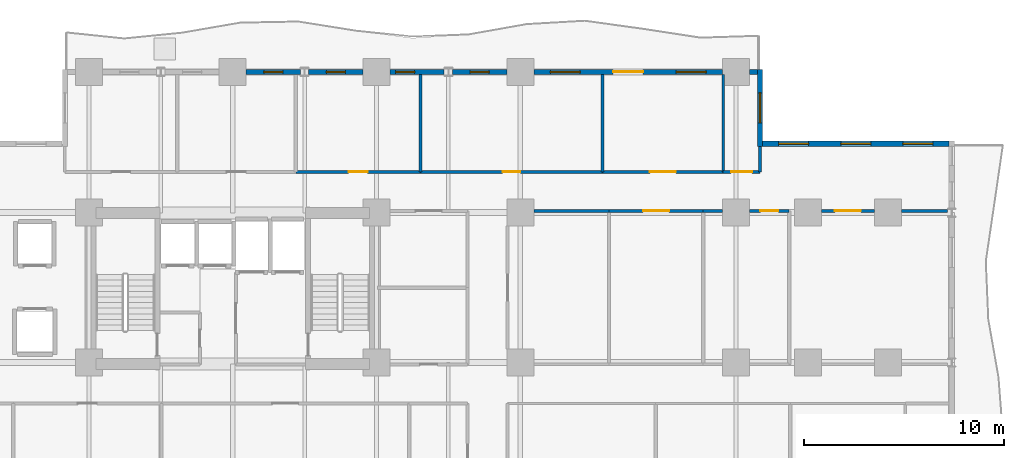
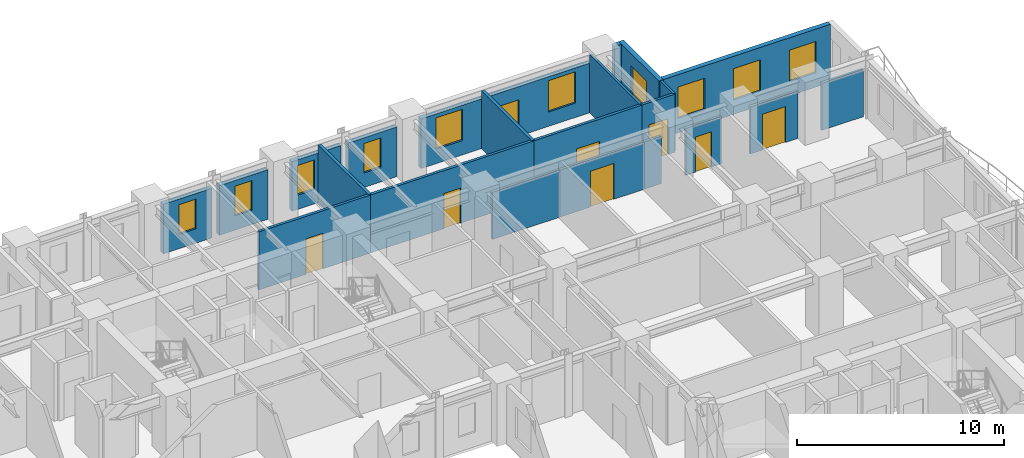
# One storey, part 7 of 11: 22 walls, 10 windows, 8 doors, 18 openings.
"""IFC4 building model written with IfcOpenShell, lengths in metres."""

from ifc_helpers import new_model, si_unit, direction, frame, frame_2d, origin, place, context, subcontext, project, spatial, rectangle, extrude, material, layer, layer_set, type_object, element, fill, save


model = new_model("IFC4")

# Units and contexts
model_context = context("Model", 3, precision=1e-05, world=origin(), true_north=direction((0.0, 1.0)))
body_context = subcontext(model_context, "Body", "Model", "MODEL_VIEW")
ifc_project = project(units=[si_unit("LENGTHUNIT", "METRE"), si_unit("AREAUNIT", "SQUARE_METRE"), si_unit("VOLUMEUNIT", "CUBIC_METRE"), si_unit("PLANEANGLEUNIT", "RADIAN"), si_unit("MASSUNIT", "GRAM", prefix="KILO")], contexts=[model_context])

# Site, building, storey
site_placement = place(None, origin())
site = spatial("IfcSite", under=ifc_project, at=site_placement, CompositionType="ELEMENT")
building_placement = place(site_placement, origin())
building = spatial("IfcBuilding", under=site, at=building_placement, Name="Kaliganga Portal Commons", CompositionType="ELEMENT")
storey_placement = place(building_placement, frame((0.0, 0.0, 54.89990234375)))
storey = spatial("IfcBuildingStorey", under=building, at=storey_placement, Name="L13", CompositionType="ELEMENT", Elevation=54.89990234375)

# Wall, openings, windows
ifc_material_1 = material(Name="Insulated Aluminium-Clad Spandrel Assembly", Category="aluminium")
ifc_layer_1 = layer(ifc_material_1, 0.260009765625)
ifc_layer_set_1 = layer_set([ifc_layer_1], Name="Insulated Aluminium-Clad Spandrel Assembly")
wall_type_1 = type_object("IfcWallType", Name="WL-EXT-SPAND-260", PredefinedType="STANDARD", material=ifc_layer_set_1)
wall_1_placement = place(storey_placement, frame((48.135009765625, 39.60009765625, 0.0), z_axis=(0.0, 0.0, 1.0), x_axis=(1.0, 0.0, 0.0)))
wall_1 = element("IfcWall", 1, at=wall_1_placement, inside=storey, type_object=wall_type_1, Name="Exterior Envelope Wall L13 P1-E04-S1", PredefinedType="STANDARD", context=body_context, shape_type="SweptSolid", body=[
    extrude(rectangle(XDim=9.330078125, YDim=0.260009765625, at=frame_2d((4.6650390625, 0.0))), origin(), (0.0, 0.0, 1.0), 3.43017578125),
])
opening_1_placement = place(wall_1_placement, frame((0.804931640625, 0.0, 0.85009765625)))
opening_1 = element("IfcOpeningElement", 2, at=opening_1_placement, cuts=wall_1, Name="Opening W-02", PredefinedType="OPENING", context=body_context, shape_type="SweptSolid", body=[
    extrude(rectangle(XDim=1.5, YDim=1.85009765625, at=frame_2d((0.75, 0.925048828125))), frame((0.0, 0.14013671875, 0.0), z_axis=(0.0, -1.0, 0.0), x_axis=(1.0, 0.0, 0.0)), (0.0, 0.0, 1.0), 0.280029296875),
])
opening_2_placement = place(wall_1_placement, frame((3.9150390625, 0.0, 0.85009765625)))
opening_2 = element("IfcOpeningElement", 3, at=opening_2_placement, cuts=wall_1, Name="Opening W-02", PredefinedType="OPENING", context=body_context, shape_type="SweptSolid", body=[
    extrude(rectangle(XDim=1.5, YDim=1.85009765625, at=frame_2d((0.75, 0.925048828125))), frame((0.0, 0.14013671875, 0.0), z_axis=(0.0, -1.0, 0.0), x_axis=(1.0, 0.0, 0.0)), (0.0, 0.0, 1.0), 0.280029296875),
])
opening_3_placement = place(wall_1_placement, frame((7.02490234375, 0.0, 0.85009765625)))
opening_3 = element("IfcOpeningElement", 4, at=opening_3_placement, cuts=wall_1, Name="Opening W-02", PredefinedType="OPENING", context=body_context, shape_type="SweptSolid", body=[
    extrude(rectangle(XDim=1.5, YDim=1.85009765625, at=frame_2d((0.75, 0.925048828125))), frame((0.0, 0.14013671875, 0.0), z_axis=(0.0, -1.0, 0.0), x_axis=(1.0, 0.0, 0.0)), (0.0, 0.0, 1.0), 0.280029296875),
])
ifc_material_2 = material(Name="Thermally Broken Aluminium and Low-E Double Glazing", Category="aluminium")
window_type_1 = type_object("IfcWindowType", Name="WIN-STD-1500", PartitioningType="DOUBLE_PANEL_VERTICAL", PredefinedType="WINDOW", material=ifc_material_2)
window_1_placement = place(opening_1_placement, origin())
window_1 = element("IfcWindow", 5, at=window_1_placement, inside=storey, type_object=window_type_1, Name="Facade Window L13-P1E04S1-00", OverallHeight=1.85009765625, OverallWidth=1.5, PartitioningType="SINGLE_PANEL", PredefinedType="WINDOW", context=body_context, shape_type="SweptSolid", body=[
    extrude(rectangle(XDim=1.5, YDim=1.85009765625, at=frame_2d((0.75, 0.925048828125))), frame((0.0, 0.030029296875, 0.0), z_axis=(0.0, -1.0, 0.0), x_axis=(1.0, 0.0, 0.0)), (0.0, 0.0, 1.0), 0.06005859375),
])
fill(opening_1, window_1)
window_2_placement = place(opening_2_placement, origin())
window_2 = element("IfcWindow", 6, at=window_2_placement, inside=storey, type_object=window_type_1, Name="Facade Window L13-P1E04S1-01", OverallHeight=1.85009765625, OverallWidth=1.5, PartitioningType="SINGLE_PANEL", PredefinedType="WINDOW", context=body_context, shape_type="SweptSolid", body=[
    extrude(rectangle(XDim=1.5, YDim=1.85009765625, at=frame_2d((0.75, 0.925048828125))), frame((0.0, 0.030029296875, 0.0), z_axis=(0.0, -1.0, 0.0), x_axis=(1.0, 0.0, 0.0)), (0.0, 0.0, 1.0), 0.06005859375),
])
fill(opening_2, window_2)
window_3_placement = place(opening_3_placement, origin())
window_3 = element("IfcWindow", 7, at=window_3_placement, inside=storey, type_object=window_type_1, Name="Facade Window L13-P1E04S1-02", OverallHeight=1.85009765625, OverallWidth=1.5, PartitioningType="SINGLE_PANEL", PredefinedType="WINDOW", context=body_context, shape_type="SweptSolid", body=[
    extrude(rectangle(XDim=1.5, YDim=1.85009765625, at=frame_2d((0.75, 0.925048828125))), frame((0.0, 0.030029296875, 0.0), z_axis=(0.0, -1.0, 0.0), x_axis=(1.0, 0.0, 0.0)), (0.0, 0.0, 1.0), 0.06005859375),
])
fill(opening_3, window_3)

# Wall, opening, window
wall_2_placement = place(storey_placement, frame((48.0, 43.330078125, 0.0), z_axis=(0.0, 0.0, 1.0), x_axis=(0.0, -1.0, 0.0)))
wall_2 = element("IfcWall", 8, at=wall_2_placement, inside=storey, type_object=wall_type_1, Name="Exterior Envelope Wall L13 P1-E05-S1", PredefinedType="STANDARD", context=body_context, shape_type="SweptSolid", body=[
    extrude(rectangle(XDim=3.860107421875, YDim=0.260009765625, at=frame_2d((1.93017578125, 0.0))), origin(), (0.0, 0.0, 1.0), 3.43017578125),
])
opening_4_placement = place(wall_2_placement, frame((1.179931640625, 0.0, 0.85009765625)))
opening_4 = element("IfcOpeningElement", 9, at=opening_4_placement, cuts=wall_2, Name="Opening W-02", PredefinedType="OPENING", context=body_context, shape_type="SweptSolid", body=[
    extrude(rectangle(XDim=1.5, YDim=1.85009765625, at=frame_2d((0.75, 0.925048828125))), frame((0.0, 0.14013671875, 0.0), z_axis=(0.0, -1.0, 0.0), x_axis=(1.0, 0.0, 0.0)), (0.0, 0.0, 1.0), 0.280029296875),
])
window_4_placement = place(opening_4_placement, origin())
window_4 = element("IfcWindow", 10, at=window_4_placement, inside=storey, type_object=window_type_1, Name="Facade Window L13-P1E05S1-00", OverallHeight=1.85009765625, OverallWidth=1.5, PartitioningType="SINGLE_PANEL", PredefinedType="WINDOW", context=body_context, shape_type="SweptSolid", body=[
    extrude(rectangle(XDim=1.5, YDim=1.85009765625, at=frame_2d((0.75, 0.925048828125))), frame((0.0, 0.030029296875, 0.0), z_axis=(0.0, -1.0, 0.0), x_axis=(1.0, 0.0, 0.0)), (0.0, 0.0, 1.0), 0.06005859375),
])
fill(opening_4, window_4)

# Wall
wall_3_placement = place(storey_placement, frame((47.47607421875, 43.199951171875, 0.0), z_axis=(0.0, 0.0, 1.0), x_axis=(1.0, 0.0, 0.0)))
element("IfcWall", 11, at=wall_3_placement, inside=storey, type_object=wall_type_1, Name="Exterior Envelope Wall L13 P1-E06-S1", PredefinedType="STANDARD", context=body_context, shape_type="SweptSolid", body=[
    extrude(rectangle(XDim=0.388916015625, YDim=0.260009765625, at=frame_2d((0.1943359375, 0.0))), origin(), (0.0, 0.0, 1.0), 3.43017578125),
])

# Wall, openings, door, windows
wall_4_placement = place(storey_placement, frame((36.676025390625, 43.199951171875, 0.0), z_axis=(0.0, 0.0, 1.0), x_axis=(1.0, 0.0, 0.0)))
wall_4 = element("IfcWall", 12, at=wall_4_placement, inside=storey, type_object=wall_type_1, Name="Exterior Envelope Wall L13 P1-E06-S2", PredefinedType="STANDARD", context=body_context, shape_type="SweptSolid", body=[
    extrude(rectangle(XDim=9.447998046875, YDim=0.260009765625, at=frame_2d((4.72412109375, 0.0))), origin(), (0.0, 0.0, 1.0), 2.93017578125),
])
opening_5_placement = place(wall_4_placement, frame((3.97412109375, 0.0, 0.0)))
opening_5 = element("IfcOpeningElement", 13, at=opening_5_placement, cuts=wall_4, Name="Opening BD-01", PredefinedType="OPENING", context=body_context, shape_type="SweptSolid", body=[
    extrude(rectangle(XDim=1.5, YDim=2.14990234375, at=frame_2d((0.75, 1.074951171875))), frame((0.0, 0.14013671875, 0.0), z_axis=(0.0, -1.0, 0.0), x_axis=(1.0, 0.0, 0.0)), (0.0, 0.0, 1.0), 0.280029296875),
])
opening_6_placement = place(wall_4_placement, frame((0.82470703125, 0.0, 0.85009765625)))
opening_6 = element("IfcOpeningElement", 14, at=opening_6_placement, cuts=wall_4, Name="Opening W-02", PredefinedType="OPENING", context=body_context, shape_type="SweptSolid", body=[
    extrude(rectangle(XDim=1.5, YDim=1.85009765625, at=frame_2d((0.75, 0.925048828125))), frame((0.0, 0.14013671875, 0.0), z_axis=(0.0, -1.0, 0.0), x_axis=(1.0, 0.0, 0.0)), (0.0, 0.0, 1.0), 0.280029296875),
])
opening_7_placement = place(wall_4_placement, frame((7.123291015625, 0.0, 0.85009765625)))
opening_7 = element("IfcOpeningElement", 15, at=opening_7_placement, cuts=wall_4, Name="Opening W-02", PredefinedType="OPENING", context=body_context, shape_type="SweptSolid", body=[
    extrude(rectangle(XDim=1.5, YDim=1.85009765625, at=frame_2d((0.75, 0.925048828125))), frame((0.0, 0.14013671875, 0.0), z_axis=(0.0, -1.0, 0.0), x_axis=(1.0, 0.0, 0.0)), (0.0, 0.0, 1.0), 0.280029296875),
])
ifc_material_3 = material(Name="Anodized Aluminium and Laminated Safety Glass", Category="aluminium")
door_type_1 = type_object("IfcDoorType", Name="DR-BALC-1500", OperationType="SLIDING_TO_LEFT", PredefinedType="DOOR", material=ifc_material_3)
door_1_placement = place(opening_5_placement, origin())
door_1 = element("IfcDoor", 16, at=door_1_placement, inside=storey, type_object=door_type_1, Name="Balcony Sliding Door L13 balc_north", OperationType="SLIDING_TO_LEFT", OverallHeight=2.14990234375, OverallWidth=1.5, PredefinedType="DOOR", context=body_context, shape_type="SweptSolid", body=[
    extrude(rectangle(XDim=1.5, YDim=2.14990234375, at=frame_2d((0.75, 1.074951171875))), frame((0.0, 0.02490234375, 0.0), z_axis=(0.0, -1.0, 0.0), x_axis=(1.0, 0.0, 0.0)), (0.0, 0.0, 1.0), 0.050048828125),
])
fill(opening_5, door_1)
window_5_placement = place(opening_6_placement, origin())
window_5 = element("IfcWindow", 17, at=window_5_placement, inside=storey, type_object=window_type_1, Name="Facade Window L13-P1E06S2-00", OverallHeight=1.85009765625, OverallWidth=1.5, PartitioningType="SINGLE_PANEL", PredefinedType="WINDOW", context=body_context, shape_type="SweptSolid", body=[
    extrude(rectangle(XDim=1.5, YDim=1.85009765625, at=frame_2d((0.75, 0.925048828125))), frame((0.0, 0.030029296875, 0.0), z_axis=(0.0, -1.0, 0.0), x_axis=(1.0, 0.0, 0.0)), (0.0, 0.0, 1.0), 0.06005859375),
])
fill(opening_6, window_5)
window_6_placement = place(opening_7_placement, origin())
window_6 = element("IfcWindow", 18, at=window_6_placement, inside=storey, type_object=window_type_1, Name="Facade Window L13-P1E06S2-02", OverallHeight=1.85009765625, OverallWidth=1.5, PartitioningType="SINGLE_PANEL", PredefinedType="WINDOW", context=body_context, shape_type="SweptSolid", body=[
    extrude(rectangle(XDim=1.5, YDim=1.85009765625, at=frame_2d((0.75, 0.925048828125))), frame((0.0, 0.030029296875, 0.0), z_axis=(0.0, -1.0, 0.0), x_axis=(1.0, 0.0, 0.0)), (0.0, 0.0, 1.0), 0.06005859375),
])
fill(opening_7, window_6)

# Wall, opening, window
wall_5_placement = place(storey_placement, frame((32.60888671875, 43.199951171875, 0.0), z_axis=(0.0, 0.0, 1.0), x_axis=(1.0, 0.0, 0.0)))
wall_5 = element("IfcWall", 19, at=wall_5_placement, inside=storey, type_object=wall_type_1, Name="Exterior Envelope Wall L13 P1-E06-S3", PredefinedType="STANDARD", context=body_context, shape_type="SweptSolid", body=[
    extrude(rectangle(XDim=2.715087890625, YDim=0.260009765625, at=frame_2d((1.357421875, 0.0))), origin(), (0.0, 0.0, 1.0), 2.93017578125),
])
opening_8_placement = place(wall_5_placement, frame((0.882568359375, 0.0, 0.85009765625)))
opening_8 = element("IfcOpeningElement", 20, at=opening_8_placement, cuts=wall_5, Name="Opening W-04", PredefinedType="OPENING", context=body_context, shape_type="SweptSolid", body=[
    extrude(rectangle(XDim=0.949951171875, YDim=1.75, at=frame_2d((0.47509765625, 0.875))), frame((0.0, 0.14013671875, 0.0), z_axis=(0.0, -1.0, 0.0), x_axis=(1.0, 0.0, 0.0)), (0.0, 0.0, 1.0), 0.280029296875),
])
window_type_2 = type_object("IfcWindowType", Name="WIN-NARROW-950", PartitioningType="SINGLE_PANEL", PredefinedType="WINDOW", material=ifc_material_2)
window_7_placement = place(opening_8_placement, origin())
window_7 = element("IfcWindow", 21, at=window_7_placement, inside=storey, type_object=window_type_2, Name="Facade Window L13-P1E06S3-00", OverallHeight=1.75, OverallWidth=0.949951171875, PartitioningType="SINGLE_PANEL", PredefinedType="WINDOW", context=body_context, shape_type="SweptSolid", body=[
    extrude(rectangle(XDim=0.949951171875, YDim=1.75, at=frame_2d((0.47509765625, 0.875))), frame((0.0, 0.030029296875, 0.0), z_axis=(0.0, -1.0, 0.0), x_axis=(1.0, 0.0, 0.0)), (0.0, 0.0, 1.0), 0.06005859375),
])
fill(opening_8, window_7)

wall_6_placement = place(storey_placement, frame((29.47607421875, 43.199951171875, 0.0), z_axis=(0.0, 0.0, 1.0), x_axis=(1.0, 0.0, 0.0)))
wall_6 = element("IfcWall", 22, at=wall_6_placement, inside=storey, type_object=wall_type_1, Name="Exterior Envelope Wall L13 P1-E06-S4", PredefinedType="STANDARD", context=body_context, shape_type="SweptSolid", body=[
    extrude(rectangle(XDim=2.71484375, YDim=0.260009765625, at=frame_2d((1.357421875, 0.0))), origin(), (0.0, 0.0, 1.0), 2.93017578125),
])
opening_9_placement = place(wall_6_placement, frame((0.28515625, 0.0, 0.85009765625)))
opening_9 = element("IfcOpeningElement", 23, at=opening_9_placement, cuts=wall_6, Name="Opening W-04", PredefinedType="OPENING", context=body_context, shape_type="SweptSolid", body=[
    extrude(rectangle(XDim=0.949951171875, YDim=1.75, at=frame_2d((0.47509765625, 0.875))), frame((0.0, 0.14013671875, 0.0), z_axis=(0.0, -1.0, 0.0), x_axis=(1.0, 0.0, 0.0)), (0.0, 0.0, 1.0), 0.280029296875),
])
window_8_placement = place(opening_9_placement, origin())
window_8 = element("IfcWindow", 24, at=window_8_placement, inside=storey, type_object=window_type_2, Name="Facade Window L13-P1E06S4-N3", OverallHeight=1.75, OverallWidth=0.949951171875, PartitioningType="SINGLE_PANEL", PredefinedType="WINDOW", context=body_context, shape_type="SweptSolid", body=[
    extrude(rectangle(XDim=0.949951171875, YDim=1.75, at=frame_2d((0.47509765625, 0.875))), frame((0.0, 0.030029296875, 0.0), z_axis=(0.0, -1.0, 0.0), x_axis=(1.0, 0.0, 0.0)), (0.0, 0.0, 1.0), 0.06005859375),
])
fill(opening_9, window_8)

wall_7_placement = place(storey_placement, frame((25.408935546875, 43.199951171875, 0.0), z_axis=(0.0, 0.0, 1.0), x_axis=(1.0, 0.0, 0.0)))
wall_7 = element("IfcWall", 25, at=wall_7_placement, inside=storey, type_object=wall_type_1, Name="Exterior Envelope Wall L13 P1-E06-S5", PredefinedType="STANDARD", context=body_context, shape_type="SweptSolid", body=[
    extrude(rectangle(XDim=2.715087890625, YDim=0.260009765625, at=frame_2d((1.357421875, 0.0))), origin(), (0.0, 0.0, 1.0), 2.93017578125),
])
opening_10_placement = place(wall_7_placement, frame((0.882568359375, 0.0, 0.85009765625)))
opening_10 = element("IfcOpeningElement", 26, at=opening_10_placement, cuts=wall_7, Name="Opening W-04", PredefinedType="OPENING", context=body_context, shape_type="SweptSolid", body=[
    extrude(rectangle(XDim=0.949951171875, YDim=1.75, at=frame_2d((0.47509765625, 0.875))), frame((0.0, 0.14013671875, 0.0), z_axis=(0.0, -1.0, 0.0), x_axis=(1.0, 0.0, 0.0)), (0.0, 0.0, 1.0), 0.280029296875),
])
window_9_placement = place(opening_10_placement, origin())
window_9 = element("IfcWindow", 27, at=window_9_placement, inside=storey, type_object=window_type_2, Name="Facade Window L13-P1E06S5-00", OverallHeight=1.75, OverallWidth=0.949951171875, PartitioningType="SINGLE_PANEL", PredefinedType="WINDOW", context=body_context, shape_type="SweptSolid", body=[
    extrude(rectangle(XDim=0.949951171875, YDim=1.75, at=frame_2d((0.47509765625, 0.875))), frame((0.0, 0.030029296875, 0.0), z_axis=(0.0, -1.0, 0.0), x_axis=(1.0, 0.0, 0.0)), (0.0, 0.0, 1.0), 0.06005859375),
])
fill(opening_10, window_9)

wall_8_placement = place(storey_placement, frame((22.27587890625, 43.199951171875, 0.0), z_axis=(0.0, 0.0, 1.0), x_axis=(1.0, 0.0, 0.0)))
wall_8 = element("IfcWall", 28, at=wall_8_placement, inside=storey, type_object=wall_type_1, Name="Exterior Envelope Wall L13 P1-E06-S6", PredefinedType="STANDARD", context=body_context, shape_type="SweptSolid", body=[
    extrude(rectangle(XDim=2.715087890625, YDim=0.260009765625, at=frame_2d((1.357421875, 0.0))), origin(), (0.0, 0.0, 1.0), 2.93017578125),
])
opening_11_placement = place(wall_8_placement, frame((0.882568359375, 0.0, 0.85009765625)))
opening_11 = element("IfcOpeningElement", 29, at=opening_11_placement, cuts=wall_8, Name="Opening W-04", PredefinedType="OPENING", context=body_context, shape_type="SweptSolid", body=[
    extrude(rectangle(XDim=0.949951171875, YDim=1.75, at=frame_2d((0.47509765625, 0.875))), frame((0.0, 0.14013671875, 0.0), z_axis=(0.0, -1.0, 0.0), x_axis=(1.0, 0.0, 0.0)), (0.0, 0.0, 1.0), 0.280029296875),
])
window_10_placement = place(opening_11_placement, origin())
window_10 = element("IfcWindow", 30, at=window_10_placement, inside=storey, type_object=window_type_2, Name="Facade Window L13-P1E06S6-00", OverallHeight=1.75, OverallWidth=0.949951171875, PartitioningType="SINGLE_PANEL", PredefinedType="WINDOW", context=body_context, shape_type="SweptSolid", body=[
    extrude(rectangle(XDim=0.949951171875, YDim=1.75, at=frame_2d((0.47509765625, 0.875))), frame((0.0, 0.030029296875, 0.0), z_axis=(0.0, -1.0, 0.0), x_axis=(1.0, 0.0, 0.0)), (0.0, 0.0, 1.0), 0.06005859375),
])
fill(opening_11, window_10)

# Wall, opening, door
ifc_material_4 = material(Name="Fire-Rated Gypsum Board on Steel Stud", Category="steel")
ifc_layer_2 = layer(ifc_material_4, 0.14990234375)
ifc_layer_set_2 = layer_set([ifc_layer_2], Name="Fire-Rated Gypsum Board on Steel Stud")
wall_type_2 = type_object("IfcWallType", Name="WL-PART-CORR-150", PredefinedType="PARTITIONING", material=ifc_layer_set_2)
wall_9_placement = place(storey_placement, frame((31.0, 38.199951171875, 0.0), z_axis=(0.0, 0.0, 1.0), x_axis=(1.0, 0.0, 0.0)))
wall_9 = element("IfcWall", 31, at=wall_9_placement, inside=storey, type_object=wall_type_2, Name="Interior Partition L13-009", PredefinedType="PARTITIONING", context=body_context, shape_type="SweptSolid", body=[
    extrude(rectangle(XDim=9.1201171875, YDim=0.14990234375, at=frame_2d((4.56005859375, 0.0))), origin(), (0.0, 0.0, 1.0), 3.43017578125),
])
opening_12_placement = place(wall_9_placement, frame((4.110107421875, 0.0, 0.0)))
opening_12 = element("IfcOpeningElement", 32, at=opening_12_placement, cuts=wall_9, Name="Opening RD-01", PredefinedType="OPENING", context=body_context, shape_type="SweptSolid", body=[
    extrude(rectangle(XDim=0.89990234375, YDim=2.080078125, at=frame_2d((0.449951171875, 1.0400390625))), frame((0.0, 0.0849609375, 0.0), z_axis=(0.0, -1.0, 0.0), x_axis=(1.0, 0.0, 0.0)), (0.0, 0.0, 1.0), 0.169921875),
])
ifc_material_5 = material(Name="Engineered Timber Flush Door", Category="wood")
door_type_2 = type_object("IfcDoorType", Name="DR-ROOM-900", OperationType="NOTDEFINED", PredefinedType="DOOR", material=ifc_material_5)
door_2_placement = place(opening_12_placement, origin())
door_2 = element("IfcDoor", 33, at=door_2_placement, inside=storey, type_object=door_type_2, Name="Interior Door L13-AN04", OperationType="SINGLE_SWING_RIGHT", OverallHeight=2.080078125, OverallWidth=0.89990234375, PredefinedType="DOOR", context=body_context, shape_type="SweptSolid", body=[
    extrude(rectangle(XDim=0.89990234375, YDim=2.080078125, at=frame_2d((0.449951171875, 1.0400390625))), frame((0.0, 0.02490234375, 0.0), z_axis=(0.0, -1.0, 0.0), x_axis=(1.0, 0.0, 0.0)), (0.0, 0.0, 1.0), 0.050048828125),
])
fill(opening_12, door_2)

wall_10_placement = place(storey_placement, frame((51.074951171875, 36.239990234375, 0.0), z_axis=(0.0, 0.0, 1.0), x_axis=(1.0, 0.0, 0.0)))
wall_10 = element("IfcWall", 34, at=wall_10_placement, inside=storey, type_object=wall_type_2, Name="Interior Partition L13-010", PredefinedType="PARTITIONING", context=body_context, shape_type="SweptSolid", body=[
    extrude(rectangle(XDim=2.650146484375, YDim=0.14990234375, at=frame_2d((1.3251953125, 0.0))), origin(), (0.0, 0.0, 1.0), 2.780029296875),
])
opening_13_placement = place(wall_10_placement, frame((0.675048828125, 0.0, 0.0)))
opening_13 = element("IfcOpeningElement", 35, at=opening_13_placement, cuts=wall_10, Name="Opening RD-03", PredefinedType="OPENING", context=body_context, shape_type="SweptSolid", body=[
    extrude(rectangle(XDim=1.300048828125, YDim=2.1201171875, at=frame_2d((0.64990234375, 1.06005859375))), frame((0.0, 0.0849609375, 0.0), z_axis=(0.0, -1.0, 0.0), x_axis=(1.0, 0.0, 0.0)), (0.0, 0.0, 1.0), 0.169921875),
])
ifc_material_6 = material(Name="Glazed Timber Seminar Vision Door", Category="wood")
door_type_3 = type_object("IfcDoorType", Name="DR-STUDY-1300", OperationType="DOUBLE_DOOR_SINGLE_SWING", PredefinedType="DOOR", material=ifc_material_6)
door_3_placement = place(opening_13_placement, origin())
door_3 = element("IfcDoor", 36, at=door_3_placement, inside=storey, type_object=door_type_3, Name="Interior Door L13-BK04", OperationType="DOUBLE_DOOR_SINGLE_SWING", OverallHeight=2.1201171875, OverallWidth=1.300048828125, PredefinedType="DOOR", context=body_context, shape_type="SweptSolid", body=[
    extrude(rectangle(XDim=1.300048828125, YDim=2.1201171875, at=frame_2d((0.64990234375, 1.06005859375))), frame((0.0, 0.02490234375, 0.0), z_axis=(0.0, -1.0, 0.0), x_axis=(1.0, 0.0, 0.0)), (0.0, 0.0, 1.0), 0.050048828125),
])
fill(opening_13, door_3)

# Wall
wall_11_placement = place(storey_placement, frame((55.074951171875, 36.239990234375, 0.0), z_axis=(0.0, 0.0, 1.0), x_axis=(1.0, 0.0, 0.0)))
element("IfcWall", 37, at=wall_11_placement, inside=storey, type_object=wall_type_2, Name="Interior Partition L13-011", PredefinedType="PARTITIONING", context=body_context, shape_type="SweptSolid", body=[
    extrude(rectangle(XDim=2.317138671875, YDim=0.14990234375, at=frame_2d((1.15869140625, 0.0))), origin(), (0.0, 0.0, 1.0), 2.780029296875),
])

# Wall, opening, door
wall_12_placement = place(storey_placement, frame((24.760009765625, 38.199951171875, 0.0), z_axis=(0.0, 0.0, 1.0), x_axis=(1.0, 0.0, 0.0)))
wall_12 = element("IfcWall", 38, at=wall_12_placement, inside=storey, type_object=wall_type_2, Name="Interior Partition L13-023", PredefinedType="PARTITIONING", context=body_context, shape_type="SweptSolid", body=[
    extrude(rectangle(XDim=6.239990234375, YDim=0.14990234375, at=frame_2d((3.1201171875, 0.0))), origin(), (0.0, 0.0, 1.0), 3.43017578125),
])
opening_14_placement = place(wall_12_placement, frame((2.64501953125, 0.0, 0.0)))
opening_14 = element("IfcOpeningElement", 39, at=opening_14_placement, cuts=wall_12, Name="Opening UD-01", PredefinedType="OPENING", context=body_context, shape_type="SweptSolid", body=[
    extrude(rectangle(XDim=0.949951171875, YDim=2.10009765625, at=frame_2d((0.47509765625, 1.050048828125))), frame((0.0, 0.0849609375, 0.0), z_axis=(0.0, -1.0, 0.0), x_axis=(1.0, 0.0, 0.0)), (0.0, 0.0, 1.0), 0.169921875),
])
ifc_material_7 = material(Name="Solid-Core Timber Acoustic Fire Door", Category="wood")
door_type_4 = type_object("IfcDoorType", Name="DR-UNIT-950", OperationType="NOTDEFINED", PredefinedType="DOOR", material=ifc_material_7)
door_4_placement = place(opening_14_placement, origin())
door_4 = element("IfcDoor", 40, at=door_4_placement, inside=storey, type_object=door_type_4, Name="Interior Door L13-AN03", OperationType="SINGLE_SWING_LEFT", OverallHeight=2.10009765625, OverallWidth=0.949951171875, PredefinedType="DOOR", context=body_context, shape_type="SweptSolid", body=[
    extrude(rectangle(XDim=0.949951171875, YDim=2.10009765625, at=frame_2d((0.47509765625, 1.050048828125))), frame((0.0, 0.02490234375, 0.0), z_axis=(0.0, -1.0, 0.0), x_axis=(1.0, 0.0, 0.0)), (0.0, 0.0, 1.0), 0.050048828125),
])
fill(opening_14, door_4)

wall_13_placement = place(storey_placement, frame((40.1201171875, 38.199951171875, 0.0), z_axis=(0.0, 0.0, 1.0), x_axis=(1.0, 0.0, 0.0)))
wall_13 = element("IfcWall", 41, at=wall_13_placement, inside=storey, type_object=wall_type_2, Name="Interior Partition L13-024", PredefinedType="PARTITIONING", context=body_context, shape_type="SweptSolid", body=[
    extrude(rectangle(XDim=6.039794921875, YDim=0.14990234375, at=frame_2d((3.02001953125, 0.0))), origin(), (0.0, 0.0, 1.0), 3.43017578125),
])
opening_15_placement = place(wall_13_placement, frame((2.3701171875, 0.0, 0.0)))
opening_15 = element("IfcOpeningElement", 42, at=opening_15_placement, cuts=wall_13, Name="Opening RD-03", PredefinedType="OPENING", context=body_context, shape_type="SweptSolid", body=[
    extrude(rectangle(XDim=1.300048828125, YDim=2.1201171875, at=frame_2d((0.64990234375, 1.06005859375))), frame((0.0, 0.0849609375, 0.0), z_axis=(0.0, -1.0, 0.0), x_axis=(1.0, 0.0, 0.0)), (0.0, 0.0, 1.0), 0.169921875),
])
door_5_placement = place(opening_15_placement, origin())
door_5 = element("IfcDoor", 43, at=door_5_placement, inside=storey, type_object=door_type_3, Name="Interior Door L13-AN05", OperationType="DOUBLE_DOOR_SINGLE_SWING", OverallHeight=2.1201171875, OverallWidth=1.300048828125, PredefinedType="DOOR", context=body_context, shape_type="SweptSolid", body=[
    extrude(rectangle(XDim=1.300048828125, YDim=2.1201171875, at=frame_2d((0.64990234375, 1.06005859375))), frame((0.0, 0.02490234375, 0.0), z_axis=(0.0, -1.0, 0.0), x_axis=(1.0, 0.0, 0.0)), (0.0, 0.0, 1.0), 0.050048828125),
])
fill(opening_15, door_5)

# Wall
wall_14_placement = place(storey_placement, frame((36.675048828125, 36.239990234375, 0.0), z_axis=(0.0, 0.0, 1.0), x_axis=(1.0, 0.0, 0.0)))
element("IfcWall", 44, at=wall_14_placement, inside=storey, type_object=wall_type_2, Name="Interior Partition L13-028", PredefinedType="PARTITIONING", context=body_context, shape_type="SweptSolid", body=[
    extrude(rectangle(XDim=3.764892578125, YDim=0.14990234375, at=frame_2d((1.88232421875, 0.0))), origin(), (0.0, 0.0, 1.0), 2.780029296875),
])

# Wall, opening, door
wall_15_placement = place(storey_placement, frame((40.43994140625, 36.239990234375, 0.0), z_axis=(0.0, 0.0, 1.0), x_axis=(1.0, 0.0, 0.0)))
wall_15 = element("IfcWall", 45, at=wall_15_placement, inside=storey, type_object=wall_type_2, Name="Interior Partition L13-032", PredefinedType="PARTITIONING", context=body_context, shape_type="SweptSolid", body=[
    extrude(rectangle(XDim=4.719970703125, YDim=0.14990234375, at=frame_2d((2.35986328125, 0.0))), origin(), (0.0, 0.0, 1.0), 2.780029296875),
])
opening_16_placement = place(wall_15_placement, frame((1.7099609375, 0.0, 0.0)))
opening_16 = element("IfcOpeningElement", 46, at=opening_16_placement, cuts=wall_15, Name="Opening RD-03", PredefinedType="OPENING", context=body_context, shape_type="SweptSolid", body=[
    extrude(rectangle(XDim=1.300048828125, YDim=2.1201171875, at=frame_2d((0.64990234375, 1.06005859375))), frame((0.0, 0.0849609375, 0.0), z_axis=(0.0, -1.0, 0.0), x_axis=(1.0, 0.0, 0.0)), (0.0, 0.0, 1.0), 0.169921875),
])
door_6_placement = place(opening_16_placement, origin())
door_6 = element("IfcDoor", 47, at=door_6_placement, inside=storey, type_object=door_type_3, Name="Interior Door L13-BK02", OperationType="DOUBLE_DOOR_SINGLE_SWING", OverallHeight=2.1201171875, OverallWidth=1.300048828125, PredefinedType="DOOR", context=body_context, shape_type="SweptSolid", body=[
    extrude(rectangle(XDim=1.300048828125, YDim=2.1201171875, at=frame_2d((0.64990234375, 1.06005859375))), frame((0.0, 0.02490234375, 0.0), z_axis=(0.0, -1.0, 0.0), x_axis=(1.0, 0.0, 0.0)), (0.0, 0.0, 1.0), 0.050048828125),
])
fill(opening_16, door_6)

# Wall
wall_16_placement = place(storey_placement, frame((45.159912109375, 36.239990234375, 0.0), z_axis=(0.0, 0.0, 1.0), x_axis=(1.0, 0.0, 0.0)))
element("IfcWall", 48, at=wall_16_placement, inside=storey, type_object=wall_type_2, Name="Interior Partition L13-036", PredefinedType="PARTITIONING", context=body_context, shape_type="SweptSolid", body=[
    extrude(rectangle(XDim=0.965087890625, YDim=0.14990234375, at=frame_2d((0.482421875, 0.0))), origin(), (0.0, 0.0, 1.0), 2.780029296875),
])

# Wall, opening, door
wall_17_placement = place(storey_placement, frame((47.47509765625, 36.239990234375, 0.0), z_axis=(0.0, 0.0, 1.0), x_axis=(1.0, 0.0, 0.0)))
wall_17 = element("IfcWall", 49, at=wall_17_placement, inside=storey, type_object=wall_type_2, Name="Interior Partition L13-037", PredefinedType="PARTITIONING", context=body_context, shape_type="SweptSolid", body=[
    extrude(rectangle(XDim=1.98486328125, YDim=0.14990234375, at=frame_2d((0.992431640625, 0.0))), origin(), (0.0, 0.0, 1.0), 2.780029296875),
])
opening_17_placement = place(wall_17_placement, frame((0.54248046875, 0.0, 0.0)))
opening_17 = element("IfcOpeningElement", 50, at=opening_17_placement, cuts=wall_17, Name="Opening RD-01", PredefinedType="OPENING", context=body_context, shape_type="SweptSolid", body=[
    extrude(rectangle(XDim=0.89990234375, YDim=2.080078125, at=frame_2d((0.449951171875, 1.0400390625))), frame((0.0, 0.0849609375, 0.0), z_axis=(0.0, -1.0, 0.0), x_axis=(1.0, 0.0, 0.0)), (0.0, 0.0, 1.0), 0.169921875),
])
door_7_placement = place(opening_17_placement, origin())
door_7 = element("IfcDoor", 51, at=door_7_placement, inside=storey, type_object=door_type_2, Name="Interior Door L13-BK03", OperationType="SINGLE_SWING_RIGHT", OverallHeight=2.080078125, OverallWidth=0.89990234375, PredefinedType="DOOR", context=body_context, shape_type="SweptSolid", body=[
    extrude(rectangle(XDim=0.89990234375, YDim=2.080078125, at=frame_2d((0.449951171875, 1.0400390625))), frame((0.0, 0.02490234375, 0.0), z_axis=(0.0, -1.0, 0.0), x_axis=(1.0, 0.0, 0.0)), (0.0, 0.0, 1.0), 0.050048828125),
])
fill(opening_17, door_7)

wall_18_placement = place(storey_placement, frame((46.159912109375, 38.199951171875, 0.0), z_axis=(0.0, 0.0, 1.0), x_axis=(1.0, 0.0, 0.0)))
wall_18 = element("IfcWall", 52, at=wall_18_placement, inside=storey, type_object=wall_type_2, Name="Interior Partition L13-047", PredefinedType="PARTITIONING", context=body_context, shape_type="SweptSolid", body=[
    extrude(rectangle(XDim=1.840087890625, YDim=0.14990234375, at=frame_2d((0.919921875, 0.0))), origin(), (0.0, 0.0, 1.0), 3.43017578125),
])
opening_18_placement = place(wall_18_placement, frame((0.39501953125, 0.0, 0.0)))
opening_18 = element("IfcOpeningElement", 53, at=opening_18_placement, cuts=wall_18, Name="Opening UD-02", PredefinedType="OPENING", context=body_context, shape_type="SweptSolid", body=[
    extrude(rectangle(XDim=1.050048828125, YDim=2.1201171875, at=frame_2d((0.52490234375, 1.06005859375))), frame((0.0, 0.0849609375, 0.0), z_axis=(0.0, -1.0, 0.0), x_axis=(1.0, 0.0, 0.0)), (0.0, 0.0, 1.0), 0.169921875),
])
ifc_material_8 = material(Name="Accessible Wide-Leaf Acoustic Fire Door", Category="wood")
door_type_5 = type_object("IfcDoorType", Name="DR-ACC-1050", OperationType="NOTDEFINED", PredefinedType="DOOR", material=ifc_material_8)
door_8_placement = place(opening_18_placement, origin())
door_8 = element("IfcDoor", 54, at=door_8_placement, inside=storey, type_object=door_type_5, Name="Interior Door L13-AN06", OperationType="SINGLE_SWING_RIGHT", OverallHeight=2.1201171875, OverallWidth=1.050048828125, PredefinedType="DOOR", context=body_context, shape_type="SweptSolid", body=[
    extrude(rectangle(XDim=1.050048828125, YDim=2.1201171875, at=frame_2d((0.52490234375, 1.06005859375))), frame((0.0, 0.02490234375, 0.0), z_axis=(0.0, -1.0, 0.0), x_axis=(1.0, 0.0, 0.0)), (0.0, 0.0, 1.0), 0.050048828125),
])
fill(opening_18, door_8)

# Walls
ifc_material_9 = material(Name="Twin-Stud Acoustic Gypsum Partition", Category="gypsum")
ifc_layer_3 = layer(ifc_material_9, 0.1650390625)
ifc_layer_set_3 = layer_set([ifc_layer_3], Name="Twin-Stud Acoustic Gypsum Partition")
wall_type_3 = type_object("IfcWallType", Name="WL-PART-UNIT-165", PredefinedType="PARTITIONING", material=ifc_layer_set_3)
for number, where, z_axis, x_axis, name in (
    (55, (31.0, 38.199951171875, 0.0), (0.0, 0.0, 1.0), (0.0, 1.0, 0.0), "Interior Partition L13-065"),
    (56, (40.1201171875, 38.199951171875, 0.0), (0.0, 0.0, 1.0), (0.0, 1.0, 0.0), "Interior Partition L13-066"),
):
    element("IfcWall", number, at=place(storey_placement, frame(where, z_axis=z_axis, x_axis=x_axis)), inside=storey, type_object=wall_type_3, Name=name, PredefinedType="PARTITIONING", context=body_context, shape_type="SweptSolid", body=[
        extrude(rectangle(XDim=4.8681640625, YDim=0.1650390625, at=frame_2d((2.43408203125, 0.0))), origin(), (0.0, 0.0, 1.0), 3.43017578125),
    ])
ifc_material_10 = material(Name="Cement-Board Wet-Room Partition", Category="gypsum")
ifc_layer_4 = layer(ifc_material_10, 0.135009765625)
ifc_layer_set_4 = layer_set([ifc_layer_4], Name="Cement-Board Wet-Room Partition")
wall_type_4 = type_object("IfcWallType", Name="WL-PART-WET-135", PredefinedType="PARTITIONING", material=ifc_layer_set_4)
wall_19_placement = place(storey_placement, frame((46.159912109375, 38.199951171875, 0.0), z_axis=(0.0, 0.0, 1.0), x_axis=(0.0, 1.0, 0.0)))
element("IfcWall", 57, at=wall_19_placement, inside=storey, type_object=wall_type_4, Name="Interior Partition L13-067", PredefinedType="PARTITIONING", context=body_context, shape_type="SweptSolid", body=[
    extrude(rectangle(XDim=4.8681640625, YDim=0.135009765625, at=frame_2d((2.43408203125, 0.0))), origin(), (0.0, 0.0, 1.0), 3.43017578125),
])
wall_20_placement = place(storey_placement, frame((48.0, 38.199951171875, 0.0), z_axis=(0.0, 0.0, 1.0), x_axis=(0.0, 1.0, 0.0)))
element("IfcWall", 58, at=wall_20_placement, inside=storey, type_object=wall_type_4, Name="Interior Partition L13-068", PredefinedType="PARTITIONING", context=body_context, shape_type="SweptSolid", body=[
    extrude(rectangle(XDim=1.26806640625, YDim=0.135009765625, at=frame_2d((0.634033203125, 0.0))), origin(), (0.0, 0.0, 1.0), 3.43017578125),
])

save(model, "model.ifc")
